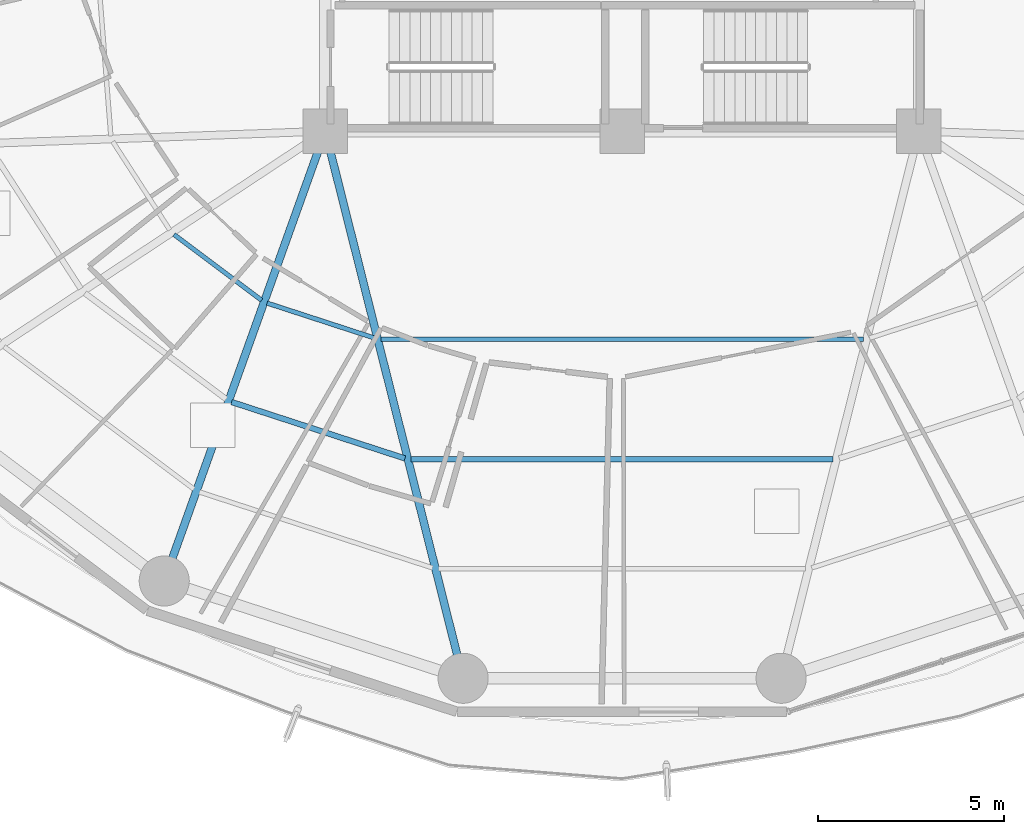
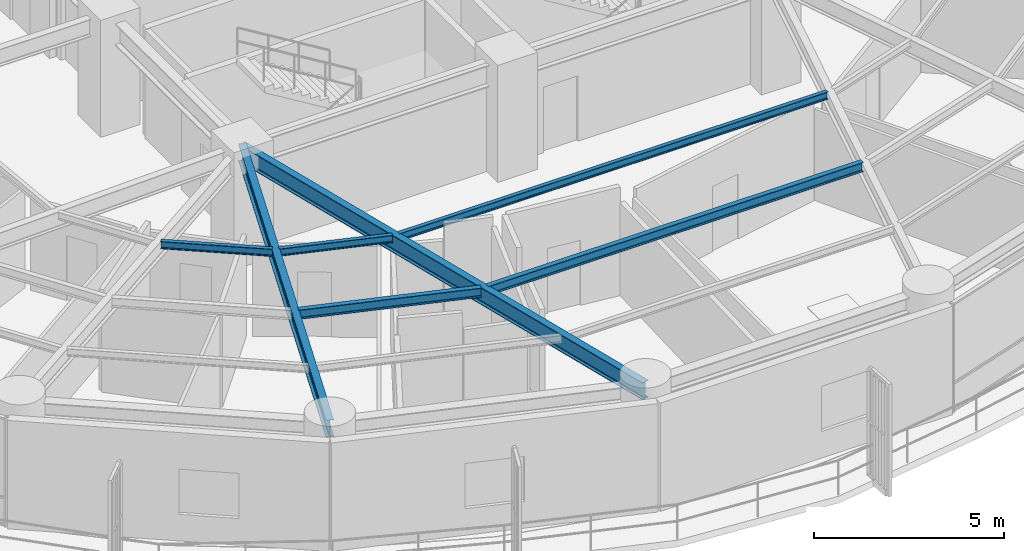
# One storey, part 5 of 35: 7 beams.
"""IFC4 building model written with IfcOpenShell, lengths in metres."""

from ifc_helpers import new_model, si_unit, direction, frame, origin, origin_2d, place, context, subcontext, project, spatial, i_section, extrude, material, material_profile, profile_set, type_object, element, save


model = new_model("IFC4")

# Units and contexts
model_context = context("Model", 3, precision=1e-05, world=origin(), true_north=direction((0.0, 1.0)))
body_context = subcontext(model_context, "Body", "Model", "MODEL_VIEW")
ifc_project = project(units=[si_unit("LENGTHUNIT", "METRE"), si_unit("AREAUNIT", "SQUARE_METRE"), si_unit("VOLUMEUNIT", "CUBIC_METRE"), si_unit("PLANEANGLEUNIT", "RADIAN"), si_unit("MASSUNIT", "GRAM", prefix="KILO")], contexts=[model_context])

# Site, building, storey
site_placement = place(None, origin())
site = spatial("IfcSite", under=ifc_project, at=site_placement, CompositionType="ELEMENT")
building_placement = place(site_placement, origin())
building = spatial("IfcBuilding", under=site, at=building_placement, Name="Kelanora Arch Commons", CompositionType="ELEMENT")
storey_placement = place(building_placement, frame((0.0, 0.0, 117.60009765625)))
storey = spatial("IfcBuildingStorey", under=building, at=storey_placement, Name="L30", CompositionType="ELEMENT", Elevation=117.60009765625)

# Beams
ifc_material = material(Name="Steel S355", Category="steel")
ifc_material_profile_1 = material_profile(ifc_material, i_section(OverallWidth=0.14990234375, OverallDepth=0.300048828125, WebThickness=0.007080078125, FlangeThickness=0.0107421875, FilletRadius=0.014892578125, at=origin_2d()), Name="IPE300")
ifc_profile_set_1 = profile_set([ifc_material_profile_1], Name="Steel S355")
beam_type_1 = type_object("IfcBeamType", Name="BM-JST-01", PredefinedType="JOIST", material=ifc_profile_set_1)
beam_1_placement = place(storey_placement, frame((63.476806640625, 43.70068359375, 3.33984375), z_axis=(0.950857140254, -0.309629938521, 0.0), x_axis=(0.309629938521, 0.950857140254, 0.0)))
element("IfcBeam", 1, at=beam_1_placement, inside=storey, type_object=beam_type_1, Name="Secondary Chord Joist BJB-24 L30", PredefinedType="JOIST", context=body_context, shape_type="SweptSolid", body=[
    extrude(i_section(OverallWidth=0.14990234375, OverallDepth=0.300048828125, WebThickness=0.007080078125, FlangeThickness=0.0107421875, FilletRadius=0.014892578125, at=origin_2d()), origin(), (0.0, 0.0, 1.0), 4.912353515625),
])
beam_2_placement = place(storey_placement, frame((68.313720703125, 42.1533203125, 3.33984375), z_axis=(1.0, 0.0, 0.0), x_axis=(0.0, 1.0, 0.0)))
element("IfcBeam", 2, at=beam_2_placement, inside=storey, type_object=beam_type_1, Name="Secondary Chord Joist BJB-26 L30", PredefinedType="JOIST", context=body_context, shape_type="SweptSolid", body=[
    extrude(i_section(OverallWidth=0.14990234375, OverallDepth=0.300048828125, WebThickness=0.007080078125, FlangeThickness=0.0107421875, FilletRadius=0.014892578125, at=origin_2d()), origin(), (0.0, 0.0, 1.0), 11.37255859375),
])
ifc_material_profile_2 = material_profile(ifc_material, i_section(OverallWidth=0.1201171875, OverallDepth=0.239990234375, WebThickness=0.006103515625, FlangeThickness=0.009765625, FilletRadius=0.014892578125, at=origin_2d()), Name="IPE240")
ifc_profile_set_2 = profile_set([ifc_material_profile_2], Name="Steel S355")
beam_type_2 = type_object("IfcBeamType", Name="BM-JST-02", PredefinedType="JOIST", material=ifc_profile_set_2)
beam_3_placement = place(storey_placement, frame((61.923583984375, 48.2158203125, 3.369873046875), z_axis=(0.799692034361, -0.600410401458, 0.0), x_axis=(0.600410401458, 0.799692034361, 0.0)))
element("IfcBeam", 3, at=beam_3_placement, inside=storey, type_object=beam_type_2, Name="Secondary Chord Joist BJA-22 L30", PredefinedType="JOIST", context=body_context, shape_type="SweptSolid", body=[
    extrude(i_section(OverallWidth=0.1201171875, OverallDepth=0.239990234375, WebThickness=0.006103515625, FlangeThickness=0.009765625, FilletRadius=0.014892578125, at=origin_2d()), origin(), (0.0, 0.0, 1.0), 2.949951171875),
])
beam_4_placement = place(storey_placement, frame((64.431640625, 46.367431640625, 3.369873046875), z_axis=(0.950846758946, -0.309661817151, 0.0), x_axis=(0.309661817151, 0.950846758946, 0.0)))
element("IfcBeam", 4, at=beam_4_placement, inside=storey, type_object=beam_type_2, Name="Secondary Chord Joist BJA-24 L30", PredefinedType="JOIST", context=body_context, shape_type="SweptSolid", body=[
    extrude(i_section(OverallWidth=0.1201171875, OverallDepth=0.239990234375, WebThickness=0.006103515625, FlangeThickness=0.009765625, FilletRadius=0.014892578125, at=origin_2d()), origin(), (0.0, 0.0, 1.0), 3.048828125),
])
beam_5_placement = place(storey_placement, frame((67.49658203125, 45.397216796875, 3.369873046875), z_axis=(1.0, 0.0, 0.0), x_axis=(0.0, 1.0, 0.0)))
element("IfcBeam", 5, at=beam_5_placement, inside=storey, type_object=beam_type_2, Name="Secondary Chord Joist BJA-26 L30", PredefinedType="JOIST", context=body_context, shape_type="SweptSolid", body=[
    extrude(i_section(OverallWidth=0.1201171875, OverallDepth=0.239990234375, WebThickness=0.006103515625, FlangeThickness=0.009765625, FilletRadius=0.014892578125, at=origin_2d()), origin(), (0.0, 0.0, 1.0), 13.0068359375),
])
ifc_material_profile_3 = material_profile(ifc_material, i_section(OverallWidth=0.2099609375, OverallDepth=0.550048828125, WebThickness=0.010986328125, FlangeThickness=0.01708984375, FilletRadius=0.02392578125, at=origin_2d()), Name="IPE550")
ifc_profile_set_3 = profile_set([ifc_material_profile_3], Name="Steel S355")
beam_type_3 = type_object("IfcBeamType", Name="BM-RAD-Z2", PredefinedType="BEAM", material=ifc_profile_set_3)
beam_6_placement = place(storey_placement, frame((66.0, 51.0, 3.21484375), z_axis=(-0.337084640008, -0.941474346687, 0.0), x_axis=(0.941474346687, -0.337084640008, 0.0)))
element("IfcBeam", 6, at=beam_6_placement, inside=storey, type_object=beam_type_3, Name="Radial Floor Girder BR-24 L30", PredefinedType="BEAM", context=body_context, shape_type="SweptSolid", body=[
    extrude(i_section(OverallWidth=0.2099609375, OverallDepth=0.550048828125, WebThickness=0.010986328125, FlangeThickness=0.01708984375, FilletRadius=0.02392578125, at=origin_2d()), origin(), (0.0, 0.0, 1.0), 12.875244140625),
])
beam_7_placement = place(storey_placement, frame((66.0, 51.0, 3.21484375), z_axis=(0.244280647475, -0.969704576286, 0.0), x_axis=(0.969704576286, 0.244280647475, 0.0)))
element("IfcBeam", 7, at=beam_7_placement, inside=storey, type_object=beam_type_3, Name="Radial Floor Girder BR-26 L30", PredefinedType="BEAM", context=body_context, shape_type="SweptSolid", body=[
    extrude(i_section(OverallWidth=0.2099609375, OverallDepth=0.550048828125, WebThickness=0.010986328125, FlangeThickness=0.01708984375, FilletRadius=0.02392578125, at=origin_2d()), origin(), (0.0, 0.0, 1.0), 15.205322265625),
])

save(model, "model.ifc")
